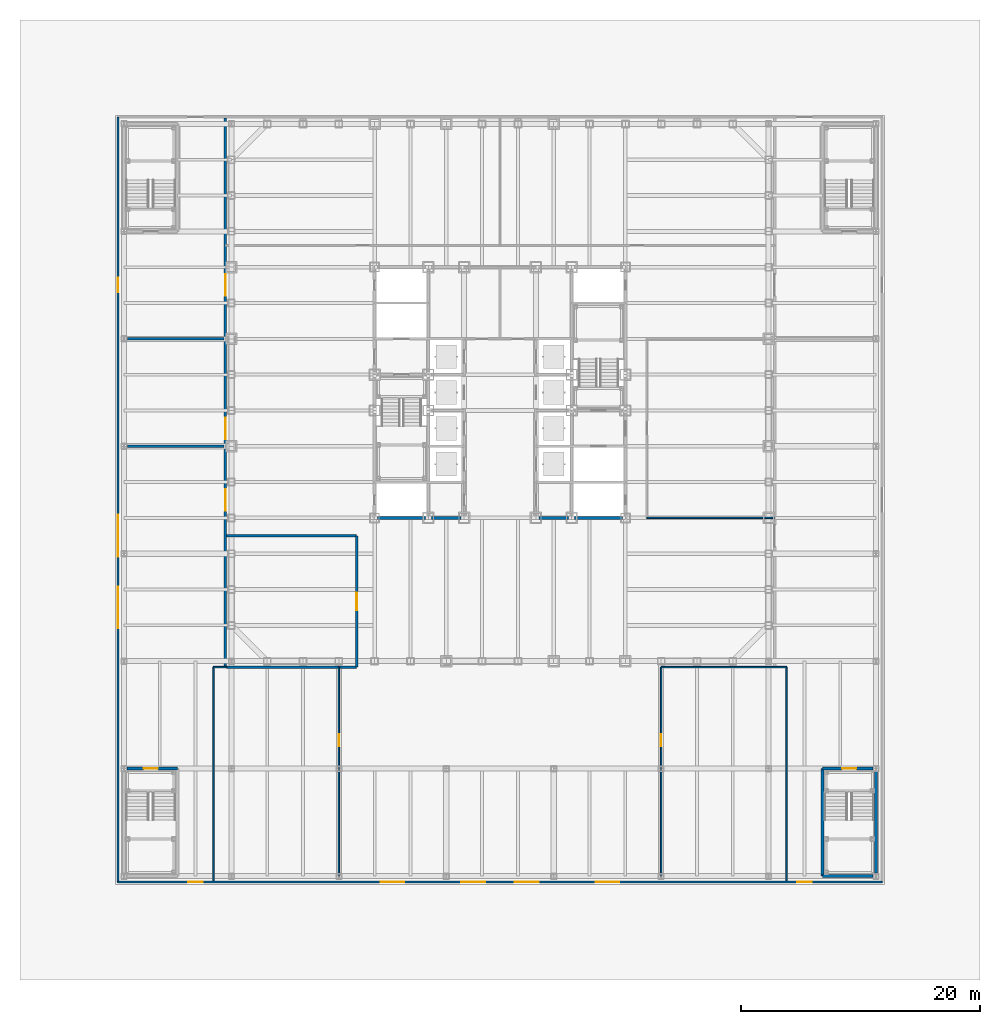
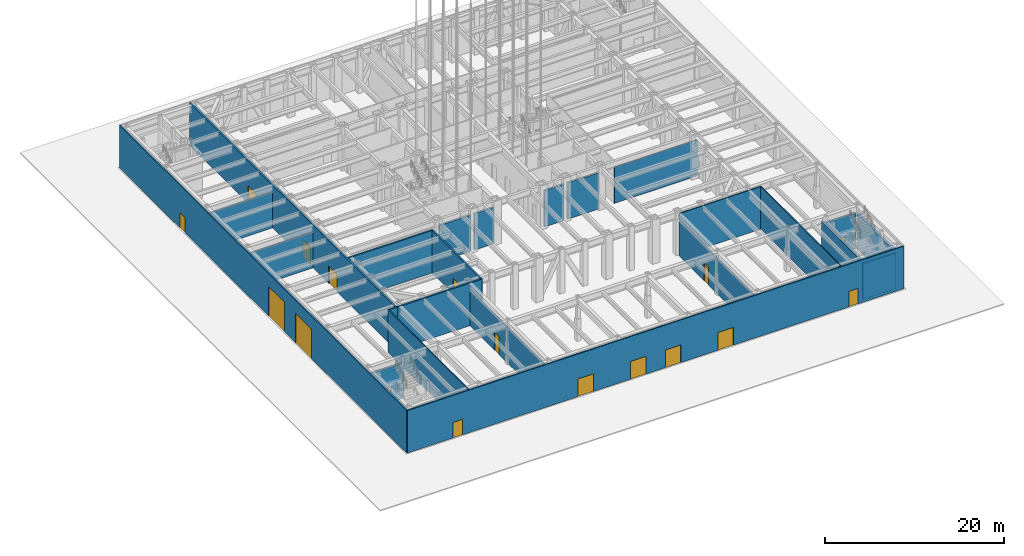
# One storey, part 7 of 35: 24 walls, 17 doors, 17 openings.
"""IFC4 building model written with IfcOpenShell, lengths in metres."""

from ifc_helpers import new_model, si_unit, direction, frame, frame_2d, origin, place, context, subcontext, project, spatial, rectangle, extrude, material, layer, layer_set, type_object, element, fill, save


model = new_model("IFC4")

# Units and contexts
model_context = context("Model", 3, precision=1e-05, world=origin(), true_north=direction((0.0, 1.0)))
body_context = subcontext(model_context, "Body", "Model", "MODEL_VIEW")
ifc_project = project(units=[si_unit("LENGTHUNIT", "METRE"), si_unit("AREAUNIT", "SQUARE_METRE"), si_unit("VOLUMEUNIT", "CUBIC_METRE"), si_unit("PLANEANGLEUNIT", "RADIAN"), si_unit("MASSUNIT", "GRAM", prefix="KILO")], contexts=[model_context])

# Site, building, storey
site_placement = place(None, origin())
site = spatial("IfcSite", under=ifc_project, at=site_placement, CompositionType="ELEMENT")
building_placement = place(site_placement, origin())
building = spatial("IfcBuilding", under=site, at=building_placement, Name="Chuquiago Exchange Tower", CompositionType="ELEMENT")
storey_placement = place(building_placement, origin())
storey = spatial("IfcBuildingStorey", under=building, at=storey_placement, Name="L00", CompositionType="ELEMENT", Elevation=0.0)

# Walls
ifc_material_1 = material(Name="Concrete masonry, fully grouted", Category="masonry")
ifc_layer_1 = layer(ifc_material_1, 0.25)
ifc_layer_set_1 = layer_set([ifc_layer_1], Name="W1 core wall 250")
wall_type_1 = type_object("IfcWallType", Name="W1 core wall 250", PredefinedType="SOLIDWALL", material=ifc_layer_set_1)
wall_1_placement = place(storey_placement, frame((12.25, 12.0, 0.0), z_axis=(0.0, 0.0, 1.0), x_axis=(1.0, 0.0, 0.0)))
element("IfcWall", 1, at=wall_1_placement, inside=storey, type_object=wall_type_1, Name="CW-L00-01-0", PredefinedType="SOLIDWALL", context=body_context, shape_type="SweptSolid", body=[
    extrude(rectangle(XDim=4.0, YDim=0.25, at=frame_2d((2.0, 0.0))), origin(), (0.0, 0.0, 1.0), 4.94140625),
])
for number, where, z_axis, x_axis, name in (
    (2, (16.75, 12.0, 0.0), (0.0, 0.0, 1.0), (1.0, 0.0, 0.0), "CW-L00-01-1"),
    (3, (25.75, 12.0, 0.0), (0.0, 0.0, 1.0), (1.0, 0.0, 0.0), "CW-L00-02-0"),
):
    element("IfcWall", number, at=place(storey_placement, frame(where, z_axis=z_axis, x_axis=x_axis)), inside=storey, type_object=wall_type_1, Name=name, PredefinedType="SOLIDWALL", context=body_context, shape_type="SweptSolid", body=[
        extrude(rectangle(XDim=2.5, YDim=0.25, at=frame_2d((1.25, 0.0))), origin(), (0.0, 0.0, 1.0), 4.94140625),
    ])
wall_2_placement = place(storey_placement, frame((28.75, 12.0, 0.0), z_axis=(0.0, 0.0, 1.0), x_axis=(1.0, 0.0, 0.0)))
element("IfcWall", 4, at=wall_2_placement, inside=storey, type_object=wall_type_1, Name="CW-L00-02-1", PredefinedType="SOLIDWALL", context=body_context, shape_type="SweptSolid", body=[
    extrude(rectangle(XDim=4.0, YDim=0.25, at=frame_2d((2.0, 0.0))), origin(), (0.0, 0.0, 1.0), 4.94140625),
])

# Wall, opening, door
ifc_material_2 = material(Name="Concrete masonry, fully grouted", Category="masonry")
ifc_layer_2 = layer(ifc_material_2, 0.25)
ifc_layer_set_2 = layer_set([ifc_layer_2], Name="W10 podium stair wall 250")
wall_type_2 = type_object("IfcWallType", Name="W10 podium stair wall 250", PredefinedType="SOLIDWALL", material=ifc_layer_set_2)
wall_3_placement = place(storey_placement, frame((-8.75, -9.0, 0.0), z_axis=(0.0, 0.0, 1.0), x_axis=(1.0, 0.0, 0.0)))
wall_3 = element("IfcWall", 5, at=wall_3_placement, inside=storey, type_object=wall_type_2, Name="PSW-L00-PS1-20", PredefinedType="SOLIDWALL", context=body_context, shape_type="SweptSolid", body=[
    extrude(rectangle(XDim=4.25, YDim=0.25, at=frame_2d((2.125, 0.0))), origin(), (0.0, 0.0, 1.0), 4.8525390625),
])
opening_1_placement = place(wall_3_placement, frame((1.39990234375, 0.0, 0.0)))
opening_1 = element("IfcOpeningElement", 6, at=opening_1_placement, cuts=wall_3, Name="Opening L00-034", PredefinedType="OPENING", context=body_context, shape_type="SweptSolid", body=[
    extrude(rectangle(XDim=1.199951171875, YDim=2.10009765625, at=frame_2d((0.60009765625, 1.050048828125))), frame((0.0, 0.135009765625, 0.0), z_axis=(0.0, -1.0, 0.0), x_axis=(1.0, 0.0, 0.0)), (0.0, 0.0, 1.0), 0.27001953125),
])
ifc_material_3 = material(Name="Steel door, painted", Category="steel")
door_type_1 = type_object("IfcDoorType", Name="D4 stair door 1200x2100", OperationType="SINGLE_SWING_LEFT", PredefinedType="DOOR", material=ifc_material_3)
door_1_placement = place(opening_1_placement, origin())
door_1 = element("IfcDoor", 7, at=door_1_placement, inside=storey, type_object=door_type_1, Name="Stair PS1 door", OperationType="SINGLE_SWING_LEFT", OverallHeight=2.10009765625, OverallWidth=1.199951171875, PredefinedType="DOOR", context=body_context, shape_type="SweptSolid", body=[
    extrude(rectangle(XDim=1.199951171875, YDim=2.10009765625, at=frame_2d((0.60009765625, 1.050048828125))), frame((0.0, 0.02490234375, 0.0), z_axis=(0.0, -1.0, 0.0), x_axis=(1.0, 0.0, 0.0)), (0.0, 0.0, 1.0), 0.050048828125),
])
fill(opening_1, door_1)

# Walls
wall_4_placement = place(storey_placement, frame((49.5, -18.0, 0.0), z_axis=(0.0, 0.0, 1.0), x_axis=(1.0, 0.0, 0.0)))
element("IfcWall", 8, at=wall_4_placement, inside=storey, type_object=wall_type_2, Name="PSW-L00-PS2-00", PredefinedType="SOLIDWALL", context=body_context, shape_type="SweptSolid", body=[
    extrude(rectangle(XDim=4.25, YDim=0.25, at=frame_2d((2.125, 0.0))), origin(), (0.0, 0.0, 1.0), 4.8525390625),
])
wall_5_placement = place(storey_placement, frame((54.0, -17.75, 0.0), z_axis=(0.0, 0.0, 1.0), x_axis=(0.0, 1.0, 0.0)))
element("IfcWall", 9, at=wall_5_placement, inside=storey, type_object=wall_type_2, Name="PSW-L00-PS2-10", PredefinedType="SOLIDWALL", context=body_context, shape_type="SweptSolid", body=[
    extrude(rectangle(XDim=8.5, YDim=0.25, at=frame_2d((4.25, 0.0))), origin(), (0.0, 0.0, 1.0), 4.8525390625),
])

# Wall, opening, door
wall_6_placement = place(storey_placement, frame((49.5, -9.0, 0.0), z_axis=(0.0, 0.0, 1.0), x_axis=(1.0, 0.0, 0.0)))
wall_6 = element("IfcWall", 10, at=wall_6_placement, inside=storey, type_object=wall_type_2, Name="PSW-L00-PS2-20", PredefinedType="SOLIDWALL", context=body_context, shape_type="SweptSolid", body=[
    extrude(rectangle(XDim=4.25, YDim=0.25, at=frame_2d((2.125, 0.0))), origin(), (0.0, 0.0, 1.0), 4.8525390625),
])
opening_2_placement = place(wall_6_placement, frame((1.64990234375, 0.0, 0.0)))
opening_2 = element("IfcOpeningElement", 11, at=opening_2_placement, cuts=wall_6, Name="Opening L00-035", PredefinedType="OPENING", context=body_context, shape_type="SweptSolid", body=[
    extrude(rectangle(XDim=1.199951171875, YDim=2.10009765625, at=frame_2d((0.60009765625, 1.050048828125))), frame((0.0, 0.135009765625, 0.0), z_axis=(0.0, -1.0, 0.0), x_axis=(1.0, 0.0, 0.0)), (0.0, 0.0, 1.0), 0.27001953125),
])
door_2_placement = place(opening_2_placement, origin())
door_2 = element("IfcDoor", 12, at=door_2_placement, inside=storey, type_object=door_type_1, Name="Stair PS2 door", OperationType="SINGLE_SWING_RIGHT", OverallHeight=2.10009765625, OverallWidth=1.199951171875, PredefinedType="DOOR", context=body_context, shape_type="SweptSolid", body=[
    extrude(rectangle(XDim=1.199951171875, YDim=2.10009765625, at=frame_2d((0.60009765625, 1.050048828125))), frame((0.0, 0.02490234375, 0.0), z_axis=(0.0, -1.0, 0.0), x_axis=(1.0, 0.0, 0.0)), (0.0, 0.0, 1.0), 0.050048828125),
])
fill(opening_2, door_2)

# Wall
wall_7_placement = place(storey_placement, frame((49.5, -18.0, 0.0), z_axis=(0.0, 0.0, 1.0), x_axis=(0.0, 1.0, 0.0)))
element("IfcWall", 13, at=wall_7_placement, inside=storey, type_object=wall_type_2, Name="PSW-L00-PS2-30", PredefinedType="SOLIDWALL", context=body_context, shape_type="SweptSolid", body=[
    extrude(rectangle(XDim=9.0, YDim=0.25, at=frame_2d((4.5, 0.0))), origin(), (0.0, 0.0, 1.0), 5.197998046875),
])

# Wall, opening, door
ifc_material_4 = material(Name="Gypsum board on steel studs", Category="steel")
ifc_layer_3 = layer(ifc_material_4, 0.1201171875)
ifc_layer_set_3 = layer_set([ifc_layer_3], Name="W4 partition 120")
wall_type_3 = type_object("IfcWallType", Name="W4 partition 120", PredefinedType="PARTITIONING", material=ifc_layer_set_3)
wall_8_placement = place(storey_placement, frame((9.0, -18.0, 0.0), z_axis=(0.0, 0.0, 1.0), x_axis=(0.0, 1.0, 0.0)))
wall_8 = element("IfcWall", 14, at=wall_8_placement, inside=storey, type_object=wall_type_3, Name="PW-L00-P3", PredefinedType="PARTITIONING", context=body_context, shape_type="SweptSolid", body=[
    extrude(rectangle(XDim=17.5, YDim=0.1201171875, at=frame_2d((8.75, 0.0))), origin(), (0.0, 0.0, 1.0), 4.8525390625),
])
opening_3_placement = place(wall_8_placement, frame((10.875, 0.0, 0.0)))
opening_3 = element("IfcOpeningElement", 15, at=opening_3_placement, cuts=wall_8, Name="Opening L00-027", PredefinedType="OPENING", context=body_context, shape_type="SweptSolid", body=[
    extrude(rectangle(XDim=1.0, YDim=2.39990234375, at=frame_2d((0.5, 1.199951171875))), frame((0.0, 0.070068359375, 0.0), z_axis=(0.0, -1.0, 0.0), x_axis=(1.0, 0.0, 0.0)), (0.0, 0.0, 1.0), 0.14013671875),
])
ifc_material_5 = material(Name="Timber door, laminate faced", Category="wood")
door_type_2 = type_object("IfcDoorType", Name="D9 room door 1000x2400", OperationType="SINGLE_SWING_LEFT", PredefinedType="DOOR", material=ifc_material_5)
door_3_placement = place(opening_3_placement, origin())
door_3 = element("IfcDoor", 16, at=door_3_placement, inside=storey, type_object=door_type_2, Name="Bank branch door", OperationType="SINGLE_SWING_LEFT", OverallHeight=2.39990234375, OverallWidth=1.0, PredefinedType="DOOR", context=body_context, shape_type="SweptSolid", body=[
    extrude(rectangle(XDim=1.0, YDim=2.39990234375, at=frame_2d((0.5, 1.199951171875))), frame((0.0, 0.02490234375, 0.0), z_axis=(0.0, -1.0, 0.0), x_axis=(1.0, 0.0, 0.0)), (0.0, 0.0, 1.0), 0.050048828125),
])
fill(opening_3, door_3)

wall_9_placement = place(storey_placement, frame((36.0, -18.0, 0.0), z_axis=(0.0, 0.0, 1.0), x_axis=(0.0, 1.0, 0.0)))
wall_9 = element("IfcWall", 17, at=wall_9_placement, inside=storey, type_object=wall_type_3, Name="PW-L00-P4", PredefinedType="PARTITIONING", context=body_context, shape_type="SweptSolid", body=[
    extrude(rectangle(XDim=17.5, YDim=0.1201171875, at=frame_2d((8.75, 0.0))), origin(), (0.0, 0.0, 1.0), 4.8525390625),
])
opening_4_placement = place(wall_9_placement, frame((10.875, 0.0, 0.0)))
opening_4 = element("IfcOpeningElement", 18, at=opening_4_placement, cuts=wall_9, Name="Opening L00-028", PredefinedType="OPENING", context=body_context, shape_type="SweptSolid", body=[
    extrude(rectangle(XDim=1.0, YDim=2.39990234375, at=frame_2d((0.5, 1.199951171875))), frame((0.0, 0.070068359375, 0.0), z_axis=(0.0, -1.0, 0.0), x_axis=(1.0, 0.0, 0.0)), (0.0, 0.0, 1.0), 0.14013671875),
])
door_4_placement = place(opening_4_placement, frame((1.0, 0.0, 0.0), z_axis=(0.0, 0.0, 1.0), x_axis=(-1.0, 0.0, 0.0)))
door_4 = element("IfcDoor", 19, at=door_4_placement, inside=storey, type_object=door_type_2, Name="Investor information centre door", OperationType="SINGLE_SWING_RIGHT", OverallHeight=2.39990234375, OverallWidth=1.0, PredefinedType="DOOR", context=body_context, shape_type="SweptSolid", body=[
    extrude(rectangle(XDim=1.0, YDim=2.39990234375, at=frame_2d((0.5, 1.199951171875))), frame((0.0, 0.02490234375, 0.0), z_axis=(0.0, -1.0, 0.0), x_axis=(1.0, 0.0, 0.0)), (0.0, 0.0, 1.0), 0.050048828125),
])
fill(opening_4, door_4)

# Walls
wall_10_placement = place(storey_placement, frame((34.800048828125, 12.0, 0.0), z_axis=(0.0, 0.0, 1.0), x_axis=(1.0, 0.0, 0.0)))
element("IfcWall", 20, at=wall_10_placement, inside=storey, type_object=wall_type_3, Name="PW-L00-Q1", PredefinedType="PARTITIONING", context=body_context, shape_type="SweptSolid", body=[
    extrude(rectangle(XDim=10.699951171875, YDim=0.1201171875, at=frame_2d((5.35009765625, 0.0))), origin(), (0.0, 0.0, 1.0), 4.94140625),
])
wall_11_placement = place(storey_placement, frame((-1.5, -18.405029296875, 0.0), z_axis=(0.0, 0.0, 1.0), x_axis=(0.0, 1.0, 0.0)))
element("IfcWall", 21, at=wall_11_placement, inside=storey, type_object=wall_type_3, Name="PW-L00-Q3", PredefinedType="PARTITIONING", context=body_context, shape_type="SweptSolid", body=[
    extrude(rectangle(XDim=17.905029296875, YDim=0.1201171875, at=frame_2d((8.95263671875, 0.0))), origin(), (0.0, 0.0, 1.0), 5.800048828125),
])
wall_12_placement = place(storey_placement, frame((-1.5, -0.5, 0.0), z_axis=(0.0, 0.0, 1.0), x_axis=(1.0, 0.0, 0.0)))
element("IfcWall", 22, at=wall_12_placement, inside=storey, type_object=wall_type_3, Name="PW-L00-Q4", PredefinedType="PARTITIONING", context=body_context, shape_type="SweptSolid", body=[
    extrude(rectangle(XDim=1.10009765625, YDim=0.1201171875, at=frame_2d((0.550048828125, 0.0))), origin(), (0.0, 0.0, 1.0), 5.800048828125),
])
wall_13_placement = place(storey_placement, frame((46.5, -18.405029296875, 0.0), z_axis=(0.0, 0.0, 1.0), x_axis=(0.0, 1.0, 0.0)))
element("IfcWall", 23, at=wall_13_placement, inside=storey, type_object=wall_type_3, Name="PW-L00-Q5", PredefinedType="PARTITIONING", context=body_context, shape_type="SweptSolid", body=[
    extrude(rectangle(XDim=17.905029296875, YDim=0.1201171875, at=frame_2d((8.95263671875, 0.0))), origin(), (0.0, 0.0, 1.0), 5.800048828125),
])
wall_14_placement = place(storey_placement, frame((36.0, -0.5, 0.0), z_axis=(0.0, 0.0, 1.0), x_axis=(1.0, 0.0, 0.0)))
element("IfcWall", 24, at=wall_14_placement, inside=storey, type_object=wall_type_3, Name="PW-L00-Q6", PredefinedType="PARTITIONING", context=body_context, shape_type="SweptSolid", body=[
    extrude(rectangle(XDim=10.5, YDim=0.1201171875, at=frame_2d((5.25, 0.0))), origin(), (0.0, 0.0, 1.0), 5.800048828125),
])

# Wall, opening, door
ifc_material_6 = material(Name="Concrete masonry, fully grouted", Category="masonry")
ifc_layer_4 = layer(ifc_material_6, 0.199951171875)
ifc_layer_set_4 = layer_set([ifc_layer_4], Name="W5 fire command centre wall 200")
wall_type_4 = type_object("IfcWallType", Name="W5 fire command centre wall 200", PredefinedType="SOLIDWALL", material=ifc_layer_set_4)
wall_15_placement = place(storey_placement, frame((10.5, -0.5, 0.0), z_axis=(0.0, 0.0, 1.0), x_axis=(0.0, 1.0, 0.0)))
wall_15 = element("IfcWall", 25, at=wall_15_placement, inside=storey, type_object=wall_type_4, Name="FCC-L00-E", PredefinedType="SOLIDWALL", context=body_context, shape_type="SweptSolid", body=[
    extrude(rectangle(XDim=11.0, YDim=0.199951171875, at=frame_2d((5.5, 0.0))), origin(), (0.0, 0.0, 1.0), 5.800048828125),
])
opening_5_placement = place(wall_15_placement, frame((4.75, 0.0, 0.0)))
opening_5 = element("IfcOpeningElement", 26, at=opening_5_placement, cuts=wall_15, Name="Opening L00-023", PredefinedType="OPENING", context=body_context, shape_type="SweptSolid", body=[
    extrude(rectangle(XDim=1.5, YDim=2.10009765625, at=frame_2d((0.75, 1.050048828125))), frame((0.0, 0.10986328125, 0.0), z_axis=(0.0, -1.0, 0.0), x_axis=(1.0, 0.0, 0.0)), (0.0, 0.0, 1.0), 0.219970703125),
])
ifc_material_7 = material(Name="Steel door, painted", Category="steel")
door_type_3 = type_object("IfcDoorType", Name="D12 fire command centre double door 1500x2100", OperationType="DOUBLE_DOOR_SINGLE_SWING", PredefinedType="DOOR", material=ifc_material_7)
door_5_placement = place(opening_5_placement, origin())
door_5 = element("IfcDoor", 27, at=door_5_placement, inside=storey, type_object=door_type_3, Name="Fire command centre door", OperationType="DOUBLE_DOOR_SINGLE_SWING", OverallHeight=2.10009765625, OverallWidth=1.5, PredefinedType="DOOR", context=body_context, shape_type="SweptSolid", body=[
    extrude(rectangle(XDim=1.5, YDim=2.10009765625, at=frame_2d((0.75, 1.050048828125))), frame((0.0, 0.02490234375, 0.0), z_axis=(0.0, -1.0, 0.0), x_axis=(1.0, 0.0, 0.0)), (0.0, 0.0, 1.0), 0.050048828125),
])
fill(opening_5, door_5)

# Walls
for number, where, z_axis, x_axis, name in (
    (28, (-0.39990234375, 10.5, 0.0), (0.0, 0.0, 1.0), (1.0, 0.0, 0.0), "FCC-L00-N"),
    (29, (-0.39990234375, -0.5, 0.0), (0.0, 0.0, 1.0), (1.0, 0.0, 0.0), "FCC-L00-S"),
):
    element("IfcWall", number, at=place(storey_placement, frame(where, z_axis=z_axis, x_axis=x_axis)), inside=storey, type_object=wall_type_4, Name=name, PredefinedType="SOLIDWALL", context=body_context, shape_type="SweptSolid", body=[
        extrude(rectangle(XDim=10.89990234375, YDim=0.199951171875, at=frame_2d((5.449951171875, 0.0))), origin(), (0.0, 0.0, 1.0), 5.800048828125),
    ])

# Wall, openings, doors
ifc_material_8 = material(Name="Gypsum board on steel studs, double layer", Category="steel")
ifc_layer_5 = layer(ifc_material_8, 0.199951171875)
ifc_layer_set_5 = layer_set([ifc_layer_5], Name="W6 wing partition 200")
wall_type_5 = type_object("IfcWallType", Name="W6 wing partition 200", PredefinedType="PARTITIONING", material=ifc_layer_set_5)
wall_16_placement = place(storey_placement, frame((-0.5, -0.5, 0.0), z_axis=(0.0, 0.0, 1.0), x_axis=(0.0, 1.0, 0.0)))
wall_16 = element("IfcWall", 30, at=wall_16_placement, inside=storey, type_object=wall_type_5, Name="WW-L00-W", PredefinedType="PARTITIONING", context=body_context, shape_type="SweptSolid", body=[
    extrude(rectangle(XDim=45.97998046875, YDim=0.199951171875, at=frame_2d((22.989990234375, 0.0))), origin(), (0.0, 0.0, 1.0), 5.800048828125),
])
opening_6_placement = place(wall_16_placement, frame((13.10009765625, 0.0, 0.0)))
opening_6 = element("IfcOpeningElement", 31, at=opening_6_placement, cuts=wall_16, Name="Opening L00-029", PredefinedType="OPENING", context=body_context, shape_type="SweptSolid", body=[
    extrude(rectangle(XDim=1.800048828125, YDim=2.39990234375, at=frame_2d((0.89990234375, 1.199951171875))), frame((0.0, 0.10986328125, 0.0), z_axis=(0.0, -1.0, 0.0), x_axis=(1.0, 0.0, 0.0)), (0.0, 0.0, 1.0), 0.219970703125),
])
opening_7_placement = place(wall_16_placement, frame((19.10009765625, 0.0, 0.0)))
opening_7 = element("IfcOpeningElement", 32, at=opening_7_placement, cuts=wall_16, Name="Opening L00-030", PredefinedType="OPENING", context=body_context, shape_type="SweptSolid", body=[
    extrude(rectangle(XDim=1.800048828125, YDim=2.39990234375, at=frame_2d((0.89990234375, 1.199951171875))), frame((0.0, 0.10986328125, 0.0), z_axis=(0.0, -1.0, 0.0), x_axis=(1.0, 0.0, 0.0)), (0.0, 0.0, 1.0), 0.219970703125),
])
opening_8_placement = place(wall_16_placement, frame((31.10009765625, 0.0, 0.0)))
opening_8 = element("IfcOpeningElement", 33, at=opening_8_placement, cuts=wall_16, Name="Opening L00-031", PredefinedType="OPENING", context=body_context, shape_type="SweptSolid", body=[
    extrude(rectangle(XDim=1.800048828125, YDim=2.39990234375, at=frame_2d((0.89990234375, 1.199951171875))), frame((0.0, 0.10986328125, 0.0), z_axis=(0.0, -1.0, 0.0), x_axis=(1.0, 0.0, 0.0)), (0.0, 0.0, 1.0), 0.219970703125),
])
ifc_material_9 = material(Name="Timber door, laminate faced", Category="wood")
door_type_4 = type_object("IfcDoorType", Name="D10 double door 1800x2400", OperationType="DOUBLE_DOOR_DOUBLE_SWING", PredefinedType="DOOR", material=ifc_material_9)
door_6_placement = place(opening_6_placement, origin())
door_6 = element("IfcDoor", 34, at=door_6_placement, inside=storey, type_object=door_type_4, Name="Loading dock door", OperationType="DOUBLE_DOOR_DOUBLE_SWING", OverallHeight=2.39990234375, OverallWidth=1.800048828125, PredefinedType="DOOR", context=body_context, shape_type="SweptSolid", body=[
    extrude(rectangle(XDim=1.800048828125, YDim=2.39990234375, at=frame_2d((0.89990234375, 1.199951171875))), frame((0.0, 0.02490234375, 0.0), z_axis=(0.0, -1.0, 0.0), x_axis=(1.0, 0.0, 0.0)), (0.0, 0.0, 1.0), 0.050048828125),
])
fill(opening_6, door_6)
door_7_placement = place(opening_7_placement, origin())
door_7 = element("IfcDoor", 35, at=door_7_placement, inside=storey, type_object=door_type_4, Name="Refuse store door", OperationType="DOUBLE_DOOR_DOUBLE_SWING", OverallHeight=2.39990234375, OverallWidth=1.800048828125, PredefinedType="DOOR", context=body_context, shape_type="SweptSolid", body=[
    extrude(rectangle(XDim=1.800048828125, YDim=2.39990234375, at=frame_2d((0.89990234375, 1.199951171875))), frame((0.0, 0.02490234375, 0.0), z_axis=(0.0, -1.0, 0.0), x_axis=(1.0, 0.0, 0.0)), (0.0, 0.0, 1.0), 0.050048828125),
])
fill(opening_7, door_7)
door_8_placement = place(opening_8_placement, origin())
door_8 = element("IfcDoor", 36, at=door_8_placement, inside=storey, type_object=door_type_4, Name="Mail room door", OperationType="DOUBLE_DOOR_DOUBLE_SWING", OverallHeight=2.39990234375, OverallWidth=1.800048828125, PredefinedType="DOOR", context=body_context, shape_type="SweptSolid", body=[
    extrude(rectangle(XDim=1.800048828125, YDim=2.39990234375, at=frame_2d((0.89990234375, 1.199951171875))), frame((0.0, 0.02490234375, 0.0), z_axis=(0.0, -1.0, 0.0), x_axis=(1.0, 0.0, 0.0)), (0.0, 0.0, 1.0), 0.050048828125),
])
fill(opening_8, door_8)

# Walls
for number, where, z_axis, x_axis, name in (
    (37, (-8.699951171875, 18.0, 0.0), (0.0, 0.0, 1.0), (1.0, 0.0, 0.0), "WW-L00-W1"),
    (38, (-8.699951171875, 27.0, 0.0), (0.0, 0.0, 1.0), (1.0, 0.0, 0.0), "WW-L00-W2"),
):
    element("IfcWall", number, at=place(storey_placement, frame(where, z_axis=z_axis, x_axis=x_axis)), inside=storey, type_object=wall_type_5, Name=name, PredefinedType="PARTITIONING", context=body_context, shape_type="SweptSolid", body=[
        extrude(rectangle(XDim=8.099853515625, YDim=0.199951171875, at=frame_2d((4.0498046875, 0.0))), origin(), (0.0, 0.0, 1.0), 4.8525390625),
    ])

# Wall, openings, doors
ifc_material_10 = material(Name="Glass, heat-strengthened safety glass, in pale metal frame", Category="glass")
ifc_layer_6 = layer(ifc_material_10, 0.14990234375)
ifc_layer_set_6 = layer_set([ifc_layer_6], Name="W8 entrance screen 150")
wall_type_6 = type_object("IfcWallType", Name="W8 entrance screen 150", PredefinedType="SOLIDWALL", material=ifc_layer_set_6)
wall_17_placement = place(storey_placement, frame((-9.5, -18.5, 0.0), z_axis=(0.0, 0.0, 1.0), x_axis=(1.0, 0.0, 0.0)))
wall_17 = element("IfcWall", 39, at=wall_17_placement, inside=storey, type_object=wall_type_6, Name="Entrance screen S", PredefinedType="SOLIDWALL", context=body_context, shape_type="SweptSolid", body=[
    extrude(rectangle(XDim=64.0, YDim=0.14990234375, at=frame_2d((32.0, 0.0))), origin(), (0.0, 0.0, 1.0), 5.800048828125),
])
opening_9_placement = place(wall_17_placement, frame((22.0, 0.0, 0.0)))
opening_9 = element("IfcOpeningElement", 40, at=opening_9_placement, cuts=wall_17, Name="Opening L00-901", PredefinedType="OPENING", context=body_context, shape_type="SweptSolid", body=[
    extrude(rectangle(XDim=2.0, YDim=2.39990234375, at=frame_2d((1.0, 1.199951171875))), frame((0.0, 0.0849609375, 0.0), z_axis=(0.0, -1.0, 0.0), x_axis=(1.0, 0.0, 0.0)), (0.0, 0.0, 1.0), 0.169921875),
])
opening_10_placement = place(wall_17_placement, frame((28.75, 0.0, 0.0)))
opening_10 = element("IfcOpeningElement", 41, at=opening_10_placement, cuts=wall_17, Name="Opening L00-902", PredefinedType="OPENING", context=body_context, shape_type="SweptSolid", body=[
    extrude(rectangle(XDim=2.0, YDim=2.39990234375, at=frame_2d((1.0, 1.199951171875))), frame((0.0, 0.0849609375, 0.0), z_axis=(0.0, -1.0, 0.0), x_axis=(1.0, 0.0, 0.0)), (0.0, 0.0, 1.0), 0.169921875),
])
opening_11_placement = place(wall_17_placement, frame((33.25, 0.0, 0.0)))
opening_11 = element("IfcOpeningElement", 42, at=opening_11_placement, cuts=wall_17, Name="Opening L00-903", PredefinedType="OPENING", context=body_context, shape_type="SweptSolid", body=[
    extrude(rectangle(XDim=2.0, YDim=2.39990234375, at=frame_2d((1.0, 1.199951171875))), frame((0.0, 0.0849609375, 0.0), z_axis=(0.0, -1.0, 0.0), x_axis=(1.0, 0.0, 0.0)), (0.0, 0.0, 1.0), 0.169921875),
])
opening_12_placement = place(wall_17_placement, frame((40.0, 0.0, 0.0)))
opening_12 = element("IfcOpeningElement", 43, at=opening_12_placement, cuts=wall_17, Name="Opening L00-904", PredefinedType="OPENING", context=body_context, shape_type="SweptSolid", body=[
    extrude(rectangle(XDim=2.0, YDim=2.39990234375, at=frame_2d((1.0, 1.199951171875))), frame((0.0, 0.0849609375, 0.0), z_axis=(0.0, -1.0, 0.0), x_axis=(1.0, 0.0, 0.0)), (0.0, 0.0, 1.0), 0.169921875),
])
opening_13_placement = place(wall_17_placement, frame((5.89990234375, 0.0, 0.0)))
opening_13 = element("IfcOpeningElement", 44, at=opening_13_placement, cuts=wall_17, Name="Opening L00-905", PredefinedType="OPENING", context=body_context, shape_type="SweptSolid", body=[
    extrude(rectangle(XDim=1.199951171875, YDim=2.10009765625, at=frame_2d((0.60009765625, 1.050048828125))), frame((0.0, 0.0849609375, 0.0), z_axis=(0.0, -1.0, 0.0), x_axis=(1.0, 0.0, 0.0)), (0.0, 0.0, 1.0), 0.169921875),
])
opening_14_placement = place(wall_17_placement, frame((56.89990234375, 0.0, 0.0)))
opening_14 = element("IfcOpeningElement", 45, at=opening_14_placement, cuts=wall_17, Name="Opening L00-906", PredefinedType="OPENING", context=body_context, shape_type="SweptSolid", body=[
    extrude(rectangle(XDim=1.199951171875, YDim=2.10009765625, at=frame_2d((0.60009765625, 1.050048828125))), frame((0.0, 0.0849609375, 0.0), z_axis=(0.0, -1.0, 0.0), x_axis=(1.0, 0.0, 0.0)), (0.0, 0.0, 1.0), 0.169921875),
])
ifc_material_11 = material(Name="Glass and pale metal door", Category="glass")
door_type_5 = type_object("IfcDoorType", Name="D1 entrance door 2000x2400", OperationType="DOUBLE_DOOR_DOUBLE_SWING", PredefinedType="DOOR", material=ifc_material_11)
door_9_placement = place(opening_9_placement, origin())
door_9 = element("IfcDoor", 46, at=door_9_placement, inside=storey, type_object=door_type_5, Name="Main entrance 1", OperationType="DOUBLE_DOOR_DOUBLE_SWING", OverallHeight=2.39990234375, OverallWidth=2.0, PredefinedType="DOOR", context=body_context, shape_type="SweptSolid", body=[
    extrude(rectangle(XDim=2.0, YDim=2.39990234375, at=frame_2d((1.0, 1.199951171875))), frame((0.0, 0.02490234375, 0.0), z_axis=(0.0, -1.0, 0.0), x_axis=(1.0, 0.0, 0.0)), (0.0, 0.0, 1.0), 0.050048828125),
])
fill(opening_9, door_9)
door_10_placement = place(opening_10_placement, origin())
door_10 = element("IfcDoor", 47, at=door_10_placement, inside=storey, type_object=door_type_5, Name="Main entrance 2", OperationType="DOUBLE_DOOR_DOUBLE_SWING", OverallHeight=2.39990234375, OverallWidth=2.0, PredefinedType="DOOR", context=body_context, shape_type="SweptSolid", body=[
    extrude(rectangle(XDim=2.0, YDim=2.39990234375, at=frame_2d((1.0, 1.199951171875))), frame((0.0, 0.02490234375, 0.0), z_axis=(0.0, -1.0, 0.0), x_axis=(1.0, 0.0, 0.0)), (0.0, 0.0, 1.0), 0.050048828125),
])
fill(opening_10, door_10)
door_11_placement = place(opening_11_placement, origin())
door_11 = element("IfcDoor", 48, at=door_11_placement, inside=storey, type_object=door_type_5, Name="Main entrance 3", OperationType="DOUBLE_DOOR_DOUBLE_SWING", OverallHeight=2.39990234375, OverallWidth=2.0, PredefinedType="DOOR", context=body_context, shape_type="SweptSolid", body=[
    extrude(rectangle(XDim=2.0, YDim=2.39990234375, at=frame_2d((1.0, 1.199951171875))), frame((0.0, 0.02490234375, 0.0), z_axis=(0.0, -1.0, 0.0), x_axis=(1.0, 0.0, 0.0)), (0.0, 0.0, 1.0), 0.050048828125),
])
fill(opening_11, door_11)
door_12_placement = place(opening_12_placement, origin())
door_12 = element("IfcDoor", 49, at=door_12_placement, inside=storey, type_object=door_type_5, Name="Main entrance 4", OperationType="DOUBLE_DOOR_DOUBLE_SWING", OverallHeight=2.39990234375, OverallWidth=2.0, PredefinedType="DOOR", context=body_context, shape_type="SweptSolid", body=[
    extrude(rectangle(XDim=2.0, YDim=2.39990234375, at=frame_2d((1.0, 1.199951171875))), frame((0.0, 0.02490234375, 0.0), z_axis=(0.0, -1.0, 0.0), x_axis=(1.0, 0.0, 0.0)), (0.0, 0.0, 1.0), 0.050048828125),
])
fill(opening_12, door_12)
ifc_material_12 = material(Name="Glass and pale metal door", Category="glass")
door_type_6 = type_object("IfcDoorType", Name="D2 exit door 1200x2100", OperationType="SINGLE_SWING_LEFT", PredefinedType="DOOR", material=ifc_material_12)
door_13_placement = place(opening_13_placement, frame((1.199951171875, 0.0, 0.0), z_axis=(0.0, 0.0, 1.0), x_axis=(-1.0, 0.0, 0.0)))
door_13 = element("IfcDoor", 50, at=door_13_placement, inside=storey, type_object=door_type_6, Name="Exit door", OperationType="SINGLE_SWING_RIGHT", OverallHeight=2.10009765625, OverallWidth=1.199951171875, PredefinedType="DOOR", context=body_context, shape_type="SweptSolid", body=[
    extrude(rectangle(XDim=1.199951171875, YDim=2.10009765625, at=frame_2d((0.60009765625, 1.050048828125))), frame((0.0, 0.02490234375, 0.0), z_axis=(0.0, -1.0, 0.0), x_axis=(1.0, 0.0, 0.0)), (0.0, 0.0, 1.0), 0.050048828125),
])
fill(opening_13, door_13)
door_14_placement = place(opening_14_placement, frame((1.199951171875, 0.0, 0.0), z_axis=(0.0, 0.0, 1.0), x_axis=(-1.0, 0.0, 0.0)))
door_14 = element("IfcDoor", 51, at=door_14_placement, inside=storey, type_object=door_type_6, Name="Exit door", OperationType="SINGLE_SWING_LEFT", OverallHeight=2.10009765625, OverallWidth=1.199951171875, PredefinedType="DOOR", context=body_context, shape_type="SweptSolid", body=[
    extrude(rectangle(XDim=1.199951171875, YDim=2.10009765625, at=frame_2d((0.60009765625, 1.050048828125))), frame((0.0, 0.02490234375, 0.0), z_axis=(0.0, -1.0, 0.0), x_axis=(1.0, 0.0, 0.0)), (0.0, 0.0, 1.0), 0.050048828125),
])
fill(opening_14, door_14)

wall_18_placement = place(storey_placement, frame((-9.5, 45.574951171875, 0.0), z_axis=(0.0, 0.0, 1.0), x_axis=(0.0, -1.0, 0.0)))
wall_18 = element("IfcWall", 52, at=wall_18_placement, inside=storey, type_object=wall_type_6, Name="Entrance screen W", PredefinedType="SOLIDWALL", context=body_context, shape_type="SweptSolid", body=[
    extrude(rectangle(XDim=64.074951171875, YDim=0.14990234375, at=frame_2d((32.03759765625, 0.0))), origin(), (0.0, 0.0, 1.0), 5.800048828125),
])
opening_15_placement = place(wall_18_placement, frame((39.324951171875, 0.0, 0.0)))
opening_15 = element("IfcOpeningElement", 53, at=opening_15_placement, cuts=wall_18, Name="Opening L00-907", PredefinedType="OPENING", context=body_context, shape_type="SweptSolid", body=[
    extrude(rectangle(XDim=3.5, YDim=4.0, at=frame_2d((1.75, 2.0))), frame((0.0, 0.0849609375, 0.0), z_axis=(0.0, -1.0, 0.0), x_axis=(1.0, 0.0, 0.0)), (0.0, 0.0, 1.0), 0.169921875),
])
opening_16_placement = place(wall_18_placement, frame((33.324951171875, 0.0, 0.0)))
opening_16 = element("IfcOpeningElement", 54, at=opening_16_placement, cuts=wall_18, Name="Opening L00-908", PredefinedType="OPENING", context=body_context, shape_type="SweptSolid", body=[
    extrude(rectangle(XDim=3.5, YDim=4.0, at=frame_2d((1.75, 2.0))), frame((0.0, 0.0849609375, 0.0), z_axis=(0.0, -1.0, 0.0), x_axis=(1.0, 0.0, 0.0)), (0.0, 0.0, 1.0), 0.169921875),
])
opening_17_placement = place(wall_18_placement, frame((13.47509765625, 0.0, 0.0)))
opening_17 = element("IfcOpeningElement", 55, at=opening_17_placement, cuts=wall_18, Name="Opening L00-909", PredefinedType="OPENING", context=body_context, shape_type="SweptSolid", body=[
    extrude(rectangle(XDim=1.199951171875, YDim=2.10009765625, at=frame_2d((0.60009765625, 1.050048828125))), frame((0.0, 0.0849609375, 0.0), z_axis=(0.0, -1.0, 0.0), x_axis=(1.0, 0.0, 0.0)), (0.0, 0.0, 1.0), 0.169921875),
])
door_15_placement = place(opening_17_placement, frame((1.199951171875, 0.0, 0.0), z_axis=(0.0, 0.0, 1.0), x_axis=(-1.0, 0.0, 0.0)))
door_15 = element("IfcDoor", 56, at=door_15_placement, inside=storey, type_object=door_type_6, Name="Exit door", OperationType="SINGLE_SWING_RIGHT", OverallHeight=2.10009765625, OverallWidth=1.199951171875, PredefinedType="DOOR", context=body_context, shape_type="SweptSolid", body=[
    extrude(rectangle(XDim=1.199951171875, YDim=2.10009765625, at=frame_2d((0.60009765625, 1.050048828125))), frame((0.0, 0.02490234375, 0.0), z_axis=(0.0, -1.0, 0.0), x_axis=(1.0, 0.0, 0.0)), (0.0, 0.0, 1.0), 0.050048828125),
])
fill(opening_17, door_15)
ifc_material_13 = material(Name="Steel roller shutter", Category="steel")
door_type_7 = type_object("IfcDoorType", Name="D3 dock door 3500x4000", OperationType="ROLLINGUP", PredefinedType="DOOR", material=ifc_material_13)
door_16_placement = place(opening_15_placement, origin())
door_16 = element("IfcDoor", 57, at=door_16_placement, inside=storey, type_object=door_type_7, Name="Loading dock 1", OperationType="ROLLINGUP", OverallHeight=4.0, OverallWidth=3.5, PredefinedType="DOOR", context=body_context, shape_type="SweptSolid", body=[
    extrude(rectangle(XDim=3.5, YDim=4.0, at=frame_2d((1.75, 2.0))), frame((0.0, 0.02490234375, 0.0), z_axis=(0.0, -1.0, 0.0), x_axis=(1.0, 0.0, 0.0)), (0.0, 0.0, 1.0), 0.050048828125),
])
fill(opening_15, door_16)
door_17_placement = place(opening_16_placement, origin())
door_17 = element("IfcDoor", 58, at=door_17_placement, inside=storey, type_object=door_type_7, Name="Loading dock 2", OperationType="ROLLINGUP", OverallHeight=4.0, OverallWidth=3.5, PredefinedType="DOOR", context=body_context, shape_type="SweptSolid", body=[
    extrude(rectangle(XDim=3.5, YDim=4.0, at=frame_2d((1.75, 2.0))), frame((0.0, 0.02490234375, 0.0), z_axis=(0.0, -1.0, 0.0), x_axis=(1.0, 0.0, 0.0)), (0.0, 0.0, 1.0), 0.050048828125),
])
fill(opening_16, door_17)

save(model, "model.ifc")
